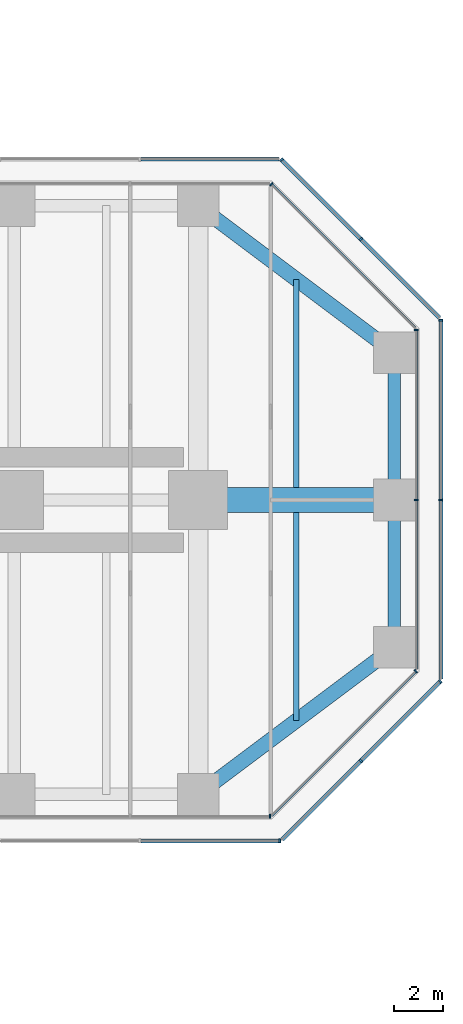
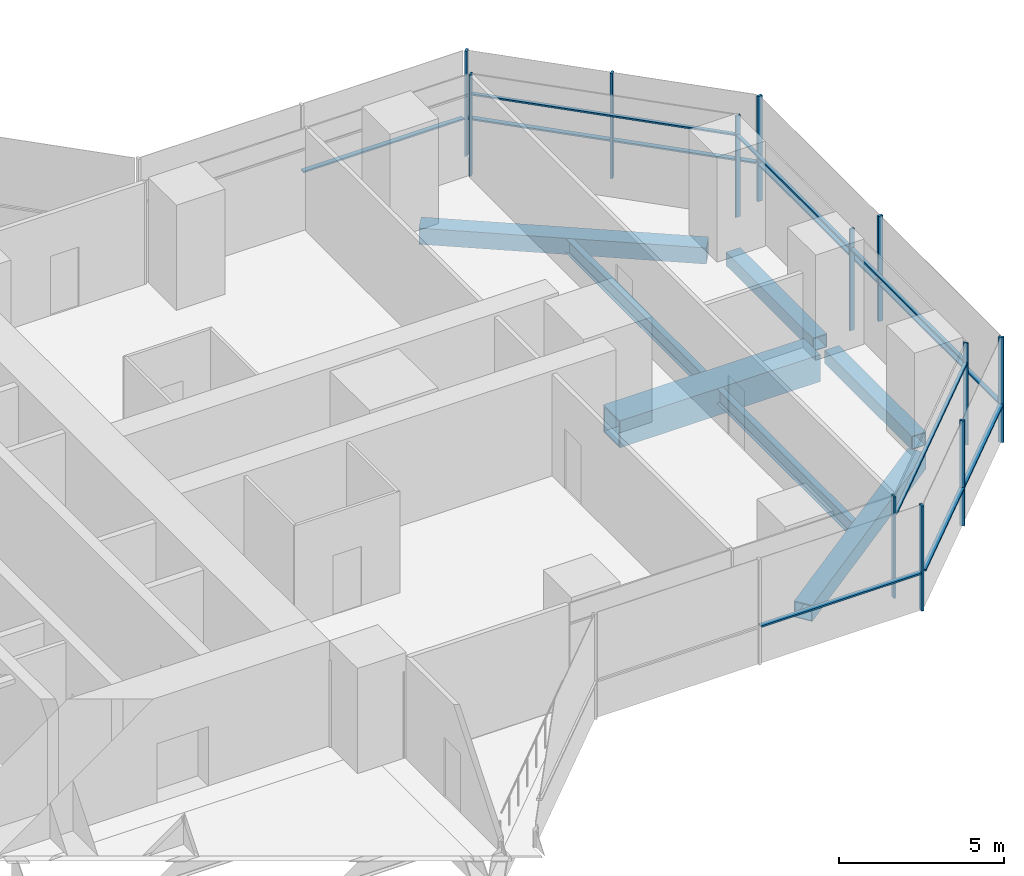
# One storey, part 11 of 19: 24 members, 7 beams, 9 elements without a shape of their own.
"""IFC4 building model written with IfcOpenShell, lengths in metres."""

from ifc_helpers import new_model, si_unit, direction, frame, origin, origin_2d, place, context, subcontext, project, spatial, rectangle, hollow_rectangle, i_section, extrude, material, material_profile, profile_set, type_object, element, aggregate, save


model = new_model("IFC4")

# Units and contexts
model_context = context("Model", 3, precision=1e-05, world=origin(), true_north=direction((0.0, 1.0)))
body_context = subcontext(model_context, "Body", "Model", "MODEL_VIEW")
ifc_project = project(units=[si_unit("LENGTHUNIT", "METRE"), si_unit("AREAUNIT", "SQUARE_METRE"), si_unit("VOLUMEUNIT", "CUBIC_METRE"), si_unit("PLANEANGLEUNIT", "RADIAN"), si_unit("MASSUNIT", "GRAM", prefix="KILO")], contexts=[model_context])

# Site, building, storey
site_placement = place(None, origin())
site = spatial("IfcSite", under=ifc_project, at=site_placement, CompositionType="ELEMENT")
building_placement = place(site_placement, origin())
building = spatial("IfcBuilding", under=site, at=building_placement, Name="Mizan Broadcast Tower", CompositionType="ELEMENT")
storey_placement = place(building_placement, frame((0.0, 0.0, 182.699951171875)))
storey = spatial("IfcBuildingStorey", under=building, at=storey_placement, Name="L42", CompositionType="ELEMENT", Elevation=182.699951171875)

# Beams
ifc_material_1 = material(Name="Steel S355", Category="steel")
ifc_material_profile_1 = material_profile(ifc_material_1, hollow_rectangle(XDim=0.5, YDim=0.5, WallThickness=0.030029296875, at=origin_2d()), Name="BOX 500x500x30")
ifc_profile_set_1 = profile_set([ifc_material_profile_1], Name="Steel S355")
beam_type_1 = type_object("IfcBeamType", Name="EDGE BEAM BOX 500x500x30", PredefinedType="SPANDREL", material=ifc_profile_set_1)
for number, where, z_axis, x_axis, name in (
    (1, (35.0, -5.639892578125, -0.3798828125), (0.0, 1.0, 0.0), (-1.0, 0.0, 0.0), "Edge beam BOX 500x500x30 L42 east arm"),
    (2, (35.0, 5.639892578125, -0.3798828125), (0.0, -1.0, 0.0), (1.0, 0.0, 0.0), "Edge beam BOX 500x500x30 L42 east arm"),
):
    element("IfcBeam", number, at=place(storey_placement, frame(where, z_axis=z_axis, x_axis=x_axis)), inside=storey, type_object=beam_type_1, Name=name, PredefinedType="SPANDREL", context=body_context, shape_type="SweptSolid", body=[
        extrude(hollow_rectangle(XDim=0.5, YDim=0.5, WallThickness=0.030029296875, at=origin_2d()), origin(), (0.0, 0.0, 1.0), 5.27978515625),
    ])
ifc_material_2 = material(Name="Steel S355", Category="steel")
ifc_material_profile_2 = material_profile(ifc_material_2, hollow_rectangle(XDim=0.60009765625, YDim=0.60009765625, WallThickness=0.030029296875, at=origin_2d()), Name="BOX 600x600x30")
ifc_profile_set_2 = profile_set([ifc_material_profile_2], Name="Steel S355")
beam_type_2 = type_object("IfcBeamType", Name="EDGE BEAM BOX 600x600x30", PredefinedType="SPANDREL", material=ifc_profile_set_2)
for number, where, z_axis, x_axis, name in (
    (3, (27.47998046875, -11.639892578125, -0.429931640625), (0.800013316712, 0.599982243973, 0.0), (-0.599982243973, 0.800013316712, 0.0), "Edge beam BOX 600x600x30 L42 east arm"),
    (4, (27.47998046875, 11.639892578125, -0.429931640625), (0.800013316712, -0.599982243973, 0.0), (0.599982243973, 0.800013316712, 0.0), "Edge beam BOX 600x600x30 L42 east arm"),
):
    element("IfcBeam", number, at=place(storey_placement, frame(where, z_axis=z_axis, x_axis=x_axis)), inside=storey, type_object=beam_type_2, Name=name, PredefinedType="SPANDREL", context=body_context, shape_type="SweptSolid", body=[
        extrude(hollow_rectangle(XDim=0.60009765625, YDim=0.60009765625, WallThickness=0.030029296875, at=origin_2d()), origin(), (0.0, 0.0, 1.0), 8.7998046875),
    ])
ifc_material_3 = material(Name="Steel S460", Category="steel")
ifc_material_profile_3 = material_profile(ifc_material_3, hollow_rectangle(XDim=1.0, YDim=1.0, WallThickness=0.06005859375, at=origin_2d()), Name="BOX 1000x1000x60")
ifc_profile_set_3 = profile_set([ifc_material_profile_3], Name="Steel S460")
beam_type_3 = type_object("IfcBeamType", Name="GIRDER BOX 1000x1000x60", PredefinedType="BEAM", material=ifc_profile_set_3)
beam_placement = place(storey_placement, frame((27.47998046875, 0.0, -0.6298828125), z_axis=(1.0, 0.0, 0.0), x_axis=(0.0, 1.0, 0.0)))
element("IfcBeam", 5, at=beam_placement, inside=storey, type_object=beam_type_3, Name="Girder BOX 1000x1000x60 L42 east arm", PredefinedType="BEAM", context=body_context, shape_type="SweptSolid", body=[
    extrude(hollow_rectangle(XDim=1.0, YDim=1.0, WallThickness=0.06005859375, at=origin_2d()), origin(), (0.0, 0.0, 1.0), 7.0400390625),
])

# Curtain wall, member
ifc_material_4 = material(Name="Aluminium framed glazing", Category="aluminium")
curtain_wall_type_1 = type_object("IfcCurtainWallType", Name="INNER SKIN MID ZONE", PredefinedType="USERDEFINED", material=ifc_material_4)
curtain_wall_1_placement = place(storey_placement, origin())
curtain_wall_1 = element("IfcCurtainWall", 6, at=curtain_wall_1_placement, inside=storey, type_object=curtain_wall_type_1, Name="Inner skin mid zone L42 E side", ObjectType="INNER SKIN MID ZONE", PredefinedType="USERDEFINED")
ifc_material_5 = material(Name="Aluminium, pale anodised", Category="aluminium")
ifc_material_profile_4 = material_profile(ifc_material_5, rectangle(XDim=0.159912109375, YDim=0.06005859375, at=origin_2d()), Name="MULLION 160x60")
ifc_profile_set_4 = profile_set([ifc_material_profile_4], Name="Aluminium, pale anodised")
member_type_1 = type_object("IfcMemberType", Name="INNER SKIN MULLION 60x160", PredefinedType="MULLION", material=ifc_profile_set_4)
member_1_placement = place(storey_placement, frame((29.928466796875, -12.89990234375, 0.0), z_axis=(0.0, 0.0, 1.0), x_axis=(0.0, 1.0, 0.0)))
member_1 = element("IfcMember", 7, at=member_1_placement, type_object=member_type_1, Name="Inner skin mid zone L42 E side mullion 3", PredefinedType="MULLION", context=body_context, shape_type="SweptSolid", body=[
    extrude(rectangle(XDim=0.159912109375, YDim=0.06005859375, at=origin_2d()), origin(), (0.0, 0.0, 1.0), 3.77001953125),
])
aggregate(curtain_wall_1, [member_1])

curtain_wall_2_placement = place(storey_placement, origin())
curtain_wall_2 = element("IfcCurtainWall", 8, at=curtain_wall_2_placement, inside=storey, type_object=curtain_wall_type_1, Name="Inner skin mid zone L42 E chamfer", ObjectType="INNER SKIN MID ZONE", PredefinedType="USERDEFINED")
member_2_placement = place(storey_placement, frame((35.87890625, -6.979736328125, 0.0), z_axis=(0.0, 0.0, 1.0), x_axis=(-0.707106781187, 0.707106781187, 0.0)))
member_2 = element("IfcMember", 9, at=member_2_placement, type_object=member_type_1, Name="Inner skin mid zone L42 E chamfer mullion 2", PredefinedType="MULLION", context=body_context, shape_type="SweptSolid", body=[
    extrude(rectangle(XDim=0.159912109375, YDim=0.06005859375, at=origin_2d()), origin(), (0.0, 0.0, 1.0), 3.77001953125),
])

# Curtain wall, members
curtain_wall_3_placement = place(storey_placement, origin())
curtain_wall_3 = element("IfcCurtainWall", 10, at=curtain_wall_3_placement, inside=storey, type_object=curtain_wall_type_1, Name="Inner skin mid zone L42 E end", ObjectType="INNER SKIN MID ZONE", PredefinedType="USERDEFINED")
member_3_placement = place(storey_placement, frame((35.89990234375, 0.0, 0.0), z_axis=(0.0, 0.0, 1.0), x_axis=(-1.0, 0.0, 0.0)))
member_3 = element("IfcMember", 11, at=member_3_placement, type_object=member_type_1, Name="Inner skin mid zone L42 E end mullion 2", PredefinedType="MULLION", context=body_context, shape_type="SweptSolid", body=[
    extrude(rectangle(XDim=0.159912109375, YDim=0.06005859375, at=origin_2d()), origin(), (0.0, 0.0, 1.0), 3.77001953125),
])
member_4_placement = place(storey_placement, frame((35.89990234375, 6.928466796875, 0.0), z_axis=(0.0, 0.0, 1.0), x_axis=(-1.0, 0.0, 0.0)))
member_4 = element("IfcMember", 12, at=member_4_placement, type_object=member_type_1, Name="Inner skin mid zone L42 E end mullion 3", PredefinedType="MULLION", context=body_context, shape_type="SweptSolid", body=[
    extrude(rectangle(XDim=0.159912109375, YDim=0.06005859375, at=origin_2d()), origin(), (0.0, 0.0, 1.0), 3.77001953125),
])

# Curtain wall, member
curtain_wall_4_placement = place(storey_placement, origin())
curtain_wall_4 = element("IfcCurtainWall", 13, at=curtain_wall_4_placement, inside=storey, type_object=curtain_wall_type_1, Name="Inner skin mid zone L42 E chamfer", ObjectType="INNER SKIN MID ZONE", PredefinedType="USERDEFINED")
member_5_placement = place(storey_placement, frame((29.979736328125, 12.87890625, 0.0), z_axis=(0.0, 0.0, 1.0), x_axis=(-0.707106781187, -0.707106781187, 0.0)))
member_5 = element("IfcMember", 14, at=member_5_placement, type_object=member_type_1, Name="Inner skin mid zone L42 E chamfer mullion 2", PredefinedType="MULLION", context=body_context, shape_type="SweptSolid", body=[
    extrude(rectangle(XDim=0.159912109375, YDim=0.06005859375, at=origin_2d()), origin(), (0.0, 0.0, 1.0), 3.77001953125),
])

# Member
ifc_material_6 = material(Name="Aluminium, pale anodised", Category="aluminium")
ifc_material_profile_5 = material_profile(ifc_material_6, rectangle(XDim=0.1201171875, YDim=0.06005859375, at=origin_2d()), Name="TRANSOM 120x60")
ifc_profile_set_5 = profile_set([ifc_material_profile_5], Name="Aluminium, pale anodised")
member_type_2 = type_object("IfcMemberType", Name="INNER SKIN TRANSOM 60x120", PredefinedType="USERDEFINED", material=ifc_profile_set_5)
member_6_placement = place(storey_placement, frame((30.0009765625, -12.857666015625, 3.030029296875), z_axis=(0.707106781187, 0.707106781187, 0.0), x_axis=(-0.707106781187, 0.707106781187, 0.0)))
member_6 = element("IfcMember", 15, at=member_6_placement, type_object=member_type_2, Name="Inner skin mid zone L42 E chamfer transom 1.1", ObjectType="TRANSOM", PredefinedType="USERDEFINED", context=body_context, shape_type="SweptSolid", body=[
    extrude(rectangle(XDim=0.1201171875, YDim=0.06005859375, at=origin_2d()), origin(), (0.0, 0.0, 1.0), 8.28271484375),
])

aggregate(curtain_wall_2, [member_2, member_6])

member_7_placement = place(storey_placement, frame((35.89990234375, -6.898681640625, 3.030029296875), z_axis=(0.0, 1.0, 0.0), x_axis=(-1.0, 0.0, 0.0)))
member_7 = element("IfcMember", 16, at=member_7_placement, type_object=member_type_2, Name="Inner skin mid zone L42 E end transom 1.1", ObjectType="TRANSOM", PredefinedType="USERDEFINED", context=body_context, shape_type="SweptSolid", body=[
    extrude(rectangle(XDim=0.1201171875, YDim=0.06005859375, at=origin_2d()), origin(), (0.0, 0.0, 1.0), 6.86865234375),
])

member_8_placement = place(storey_placement, frame((35.89990234375, 0.030029296875, 3.030029296875), z_axis=(0.0, 1.0, 0.0), x_axis=(-1.0, 0.0, 0.0)))
member_8 = element("IfcMember", 17, at=member_8_placement, type_object=member_type_2, Name="Inner skin mid zone L42 E end transom 2.1", ObjectType="TRANSOM", PredefinedType="USERDEFINED", context=body_context, shape_type="SweptSolid", body=[
    extrude(rectangle(XDim=0.1201171875, YDim=0.06005859375, at=origin_2d()), origin(), (0.0, 0.0, 1.0), 6.86865234375),
])

aggregate(curtain_wall_3, [member_3, member_4, member_7, member_8])

member_9_placement = place(storey_placement, frame((35.857666015625, 7.0009765625, 3.030029296875), z_axis=(-0.707106781187, 0.707106781187, 0.0), x_axis=(-0.707106781187, -0.707106781187, 0.0)))
member_9 = element("IfcMember", 18, at=member_9_placement, type_object=member_type_2, Name="Inner skin mid zone L42 E chamfer transom 1.1", ObjectType="TRANSOM", PredefinedType="USERDEFINED", context=body_context, shape_type="SweptSolid", body=[
    extrude(rectangle(XDim=0.1201171875, YDim=0.06005859375, at=origin_2d()), origin(), (0.0, 0.0, 1.0), 8.28271484375),
])

aggregate(curtain_wall_4, [member_5, member_9])

# Curtain wall, members
ifc_material_7 = material(Name="Aluminium framed glazing", Category="aluminium")
curtain_wall_type_2 = type_object("IfcCurtainWallType", Name="OUTER SKIN", PredefinedType="USERDEFINED", material=ifc_material_7)
curtain_wall_5_placement = place(storey_placement, origin())
curtain_wall_5 = element("IfcCurtainWall", 19, at=curtain_wall_5_placement, inside=storey, type_object=curtain_wall_type_2, Name="Outer skin L42 E chamfer", ObjectType="OUTER SKIN", PredefinedType="USERDEFINED")
ifc_material_8 = material(Name="Aluminium, pale anodised", Category="aluminium")
ifc_material_profile_6 = material_profile(ifc_material_8, rectangle(XDim=0.159912109375, YDim=0.080078125, at=origin_2d()), Name="MULLION 160x80")
ifc_profile_set_6 = profile_set([ifc_material_profile_6], Name="Aluminium, pale anodised")
member_type_3 = type_object("IfcMemberType", Name="OUTER SKIN MULLION 80x160", PredefinedType="MULLION", material=ifc_profile_set_6)
member_10_placement = place(storey_placement, frame((33.636474609375, -10.636474609375, 0.0), z_axis=(0.0, 0.0, 1.0), x_axis=(-0.707106781187, 0.707106781187, 0.0)))
member_10 = element("IfcMember", 20, at=member_10_placement, type_object=member_type_3, Name="Outer skin L42 E chamfer mullion 2", PredefinedType="MULLION", context=body_context, shape_type="SweptSolid", body=[
    extrude(rectangle(XDim=0.159912109375, YDim=0.080078125, at=origin_2d()), origin(), (0.0, 0.0, 1.0), 3.900146484375),
])
member_11_placement = place(storey_placement, frame((36.871826171875, -7.401123046875, 0.0), z_axis=(0.0, 0.0, 1.0), x_axis=(-0.707106781187, 0.707106781187, 0.0)))
member_11 = element("IfcMember", 21, at=member_11_placement, type_object=member_type_3, Name="Outer skin L42 E chamfer mullion 3", PredefinedType="MULLION", context=body_context, shape_type="SweptSolid", body=[
    extrude(rectangle(XDim=0.159912109375, YDim=0.080078125, at=origin_2d()), origin(), (0.0, 0.0, 1.0), 3.900146484375),
])

curtain_wall_6_placement = place(storey_placement, origin())
curtain_wall_6 = element("IfcCurtainWall", 22, at=curtain_wall_6_placement, inside=storey, type_object=curtain_wall_type_2, Name="Outer skin L42 E end", ObjectType="OUTER SKIN", PredefinedType="USERDEFINED")
member_12_placement = place(storey_placement, frame((36.89990234375, 0.0, 0.0), z_axis=(0.0, 0.0, 1.0), x_axis=(-1.0, 0.0, 0.0)))
member_12 = element("IfcMember", 23, at=member_12_placement, type_object=member_type_3, Name="Outer skin L42 E end mullion 2", PredefinedType="MULLION", context=body_context, shape_type="SweptSolid", body=[
    extrude(rectangle(XDim=0.159912109375, YDim=0.080078125, at=origin_2d()), origin(), (0.0, 0.0, 1.0), 3.900146484375),
])
member_13_placement = place(storey_placement, frame((36.89990234375, 7.332763671875, 0.0), z_axis=(0.0, 0.0, 1.0), x_axis=(-1.0, 0.0, 0.0)))
member_13 = element("IfcMember", 24, at=member_13_placement, type_object=member_type_3, Name="Outer skin L42 E end mullion 3", PredefinedType="MULLION", context=body_context, shape_type="SweptSolid", body=[
    extrude(rectangle(XDim=0.159912109375, YDim=0.080078125, at=origin_2d()), origin(), (0.0, 0.0, 1.0), 3.900146484375),
])

curtain_wall_7_placement = place(storey_placement, origin())
curtain_wall_7 = element("IfcCurtainWall", 25, at=curtain_wall_7_placement, inside=storey, type_object=curtain_wall_type_2, Name="Outer skin L42 E chamfer", ObjectType="OUTER SKIN", PredefinedType="USERDEFINED")
member_14_placement = place(storey_placement, frame((33.636474609375, 10.636474609375, 0.0), z_axis=(0.0, 0.0, 1.0), x_axis=(-0.707106781187, -0.707106781187, 0.0)))
member_14 = element("IfcMember", 26, at=member_14_placement, type_object=member_type_3, Name="Outer skin L42 E chamfer mullion 2", PredefinedType="MULLION", context=body_context, shape_type="SweptSolid", body=[
    extrude(rectangle(XDim=0.159912109375, YDim=0.080078125, at=origin_2d()), origin(), (0.0, 0.0, 1.0), 3.900146484375),
])
member_15_placement = place(storey_placement, frame((30.401123046875, 13.871826171875, 0.0), z_axis=(0.0, 0.0, 1.0), x_axis=(-0.707106781187, -0.707106781187, 0.0)))
member_15 = element("IfcMember", 27, at=member_15_placement, type_object=member_type_3, Name="Outer skin L42 E chamfer mullion 3", PredefinedType="MULLION", context=body_context, shape_type="SweptSolid", body=[
    extrude(rectangle(XDim=0.159912109375, YDim=0.080078125, at=origin_2d()), origin(), (0.0, 0.0, 1.0), 3.900146484375),
])

# Curtain wall, member
curtain_wall_8_placement = place(storey_placement, origin())
curtain_wall_8 = element("IfcCurtainWall", 28, at=curtain_wall_8_placement, inside=storey, type_object=curtain_wall_type_2, Name="Outer skin L42 E side", ObjectType="OUTER SKIN", PredefinedType="USERDEFINED")
member_16_placement = place(storey_placement, frame((30.332763671875, -13.89990234375, 0.0), z_axis=(0.0, 0.0, 1.0), x_axis=(0.0, 1.0, 0.0)))
member_16 = element("IfcMember", 29, at=member_16_placement, type_object=member_type_3, Name="Outer skin L42 E side mullion 3", PredefinedType="MULLION", context=body_context, shape_type="SweptSolid", body=[
    extrude(rectangle(XDim=0.159912109375, YDim=0.080078125, at=origin_2d()), origin(), (0.0, 0.0, 1.0), 3.900146484375),
])

# Member
ifc_material_9 = material(Name="Aluminium, pale anodised", Category="aluminium")
ifc_material_profile_7 = material_profile(ifc_material_9, rectangle(XDim=0.159912109375, YDim=0.06005859375, at=origin_2d()), Name="TRANSOM 160x60")
ifc_profile_set_7 = profile_set([ifc_material_profile_7], Name="Aluminium, pale anodised")
member_type_4 = type_object("IfcMemberType", Name="OUTER SKIN TRANSOM 60x160", PredefinedType="USERDEFINED", material=ifc_profile_set_7)
member_17_placement = place(storey_placement, frame((30.429443359375, -13.843505859375, 1.400146484375), z_axis=(0.707106781187, 0.707106781187, 0.0), x_axis=(-0.707106781187, 0.707106781187, 0.0)))
member_17 = element("IfcMember", 30, at=member_17_placement, type_object=member_type_4, Name="Outer skin L42 E chamfer transom 1.1", ObjectType="TRANSOM", PredefinedType="USERDEFINED", context=body_context, shape_type="SweptSolid", body=[
    extrude(rectangle(XDim=0.159912109375, YDim=0.06005859375, at=origin_2d()), origin(), (0.0, 0.0, 1.0), 4.495361328125),
])

member_18_placement = place(storey_placement, frame((33.664794921875, -10.608154296875, 1.400146484375), z_axis=(0.707106781187, 0.707106781187, 0.0), x_axis=(-0.707106781187, 0.707106781187, 0.0)))
member_18 = element("IfcMember", 31, at=member_18_placement, type_object=member_type_4, Name="Outer skin L42 E chamfer transom 2.1", ObjectType="TRANSOM", PredefinedType="USERDEFINED", context=body_context, shape_type="SweptSolid", body=[
    extrude(rectangle(XDim=0.159912109375, YDim=0.06005859375, at=origin_2d()), origin(), (0.0, 0.0, 1.0), 4.495361328125),
])

aggregate(curtain_wall_5, [member_10, member_11, member_17, member_18])

member_19_placement = place(storey_placement, frame((36.89990234375, -7.292724609375, 1.400146484375), z_axis=(0.0, 1.0, 0.0), x_axis=(-1.0, 0.0, 0.0)))
member_19 = element("IfcMember", 32, at=member_19_placement, type_object=member_type_4, Name="Outer skin L42 E end transom 1.1", ObjectType="TRANSOM", PredefinedType="USERDEFINED", context=body_context, shape_type="SweptSolid", body=[
    extrude(rectangle(XDim=0.159912109375, YDim=0.06005859375, at=origin_2d()), origin(), (0.0, 0.0, 1.0), 7.252685546875),
])

member_20_placement = place(storey_placement, frame((36.89990234375, 0.0400390625, 1.400146484375), z_axis=(0.0, 1.0, 0.0), x_axis=(-1.0, 0.0, 0.0)))
member_20 = element("IfcMember", 33, at=member_20_placement, type_object=member_type_4, Name="Outer skin L42 E end transom 2.1", ObjectType="TRANSOM", PredefinedType="USERDEFINED", context=body_context, shape_type="SweptSolid", body=[
    extrude(rectangle(XDim=0.159912109375, YDim=0.06005859375, at=origin_2d()), origin(), (0.0, 0.0, 1.0), 7.252685546875),
])

aggregate(curtain_wall_6, [member_12, member_13, member_19, member_20])

member_21_placement = place(storey_placement, frame((36.843505859375, 7.429443359375, 1.400146484375), z_axis=(-0.707106781187, 0.707106781187, 0.0), x_axis=(-0.707106781187, -0.707106781187, 0.0)))
member_21 = element("IfcMember", 34, at=member_21_placement, type_object=member_type_4, Name="Outer skin L42 E chamfer transom 1.1", ObjectType="TRANSOM", PredefinedType="USERDEFINED", context=body_context, shape_type="SweptSolid", body=[
    extrude(rectangle(XDim=0.159912109375, YDim=0.06005859375, at=origin_2d()), origin(), (0.0, 0.0, 1.0), 4.495361328125),
])

member_22_placement = place(storey_placement, frame((33.608154296875, 10.664794921875, 1.400146484375), z_axis=(-0.707106781187, 0.707106781187, 0.0), x_axis=(-0.707106781187, -0.707106781187, 0.0)))
member_22 = element("IfcMember", 35, at=member_22_placement, type_object=member_type_4, Name="Outer skin L42 E chamfer transom 2.1", ObjectType="TRANSOM", PredefinedType="USERDEFINED", context=body_context, shape_type="SweptSolid", body=[
    extrude(rectangle(XDim=0.159912109375, YDim=0.06005859375, at=origin_2d()), origin(), (0.0, 0.0, 1.0), 4.495361328125),
])

aggregate(curtain_wall_7, [member_14, member_15, member_21, member_22])

# Curtain wall, member
curtain_wall_9_placement = place(storey_placement, origin())
curtain_wall_9 = element("IfcCurtainWall", 36, at=curtain_wall_9_placement, inside=storey, type_object=curtain_wall_type_2, Name="Outer skin L42 E side", ObjectType="OUTER SKIN", PredefinedType="USERDEFINED")
member_23_placement = place(storey_placement, frame((30.292724609375, 13.89990234375, 1.400146484375), z_axis=(-1.0, 0.0, 0.0), x_axis=(0.0, -1.0, 0.0)))
member_23 = element("IfcMember", 37, at=member_23_placement, type_object=member_type_4, Name="Outer skin L42 E side transom 1.1", ObjectType="TRANSOM", PredefinedType="USERDEFINED", context=body_context, shape_type="SweptSolid", body=[
    extrude(rectangle(XDim=0.159912109375, YDim=0.06005859375, at=origin_2d()), origin(), (0.0, 0.0, 1.0), 5.6298828125),
])
aggregate(curtain_wall_9, [member_23])

# Member
member_24_placement = place(storey_placement, frame((24.662841796875, -13.89990234375, 1.400146484375), z_axis=(1.0, 0.0, 0.0), x_axis=(0.0, 1.0, 0.0)))
member_24 = element("IfcMember", 38, at=member_24_placement, type_object=member_type_4, Name="Outer skin L42 E side transom 2.1", ObjectType="TRANSOM", PredefinedType="USERDEFINED", context=body_context, shape_type="SweptSolid", body=[
    extrude(rectangle(XDim=0.159912109375, YDim=0.06005859375, at=origin_2d()), origin(), (0.0, 0.0, 1.0), 5.6298828125),
])

aggregate(curtain_wall_8, [member_16, member_24])

# Beams
ifc_material_10 = material(Name="Steel S355", Category="steel")
ifc_material_profile_8 = material_profile(ifc_material_10, i_section(OverallWidth=0.2099609375, OverallDepth=0.550048828125, WebThickness=0.010986328125, FlangeThickness=0.01708984375, FilletRadius=0.02392578125, at=origin_2d()), Name="IPE 550")
ifc_profile_set_8 = profile_set([ifc_material_profile_8], Name="Steel S355")
beam_type_4 = type_object("IfcBeamType", Name="SECONDARY BEAM IPE 550", PredefinedType="JOIST", material=ifc_profile_set_8)
for number, where, z_axis, x_axis, name in (
    (39, (31.0, -9.0, -0.405029296875), (0.0, 1.0, 0.0), (-1.0, 0.0, 0.0), "Secondary beam IPE 550 L42 east arm"),
    (40, (31.0, 9.0, -0.405029296875), (0.0, -1.0, 0.0), (1.0, 0.0, 0.0), "Secondary beam IPE 550 L42 east arm"),
):
    element("IfcBeam", number, at=place(storey_placement, frame(where, z_axis=z_axis, x_axis=x_axis)), inside=storey, type_object=beam_type_4, Name=name, PredefinedType="JOIST", context=body_context, shape_type="SweptSolid", body=[
        extrude(i_section(OverallWidth=0.2099609375, OverallDepth=0.550048828125, WebThickness=0.010986328125, FlangeThickness=0.01708984375, FilletRadius=0.02392578125, at=origin_2d()), origin(), (0.0, 0.0, 1.0), 8.5),
    ])

save(model, "model.ifc")
